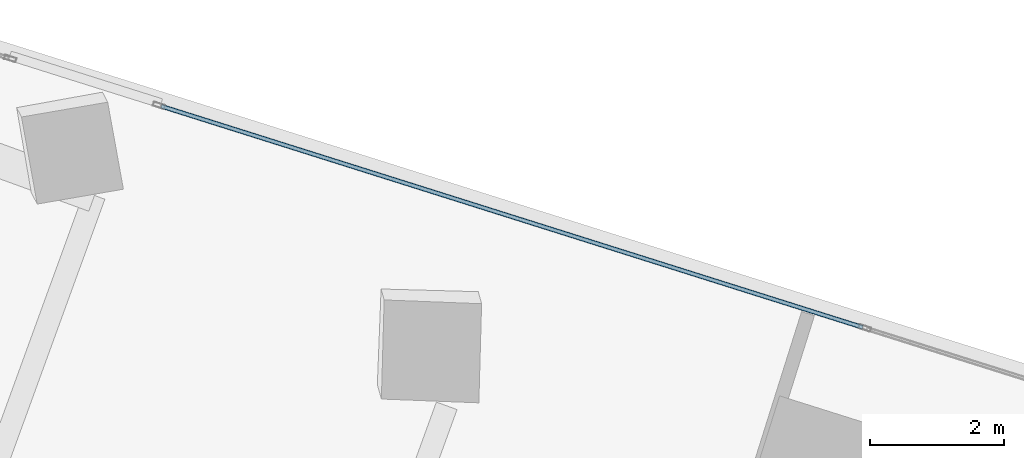
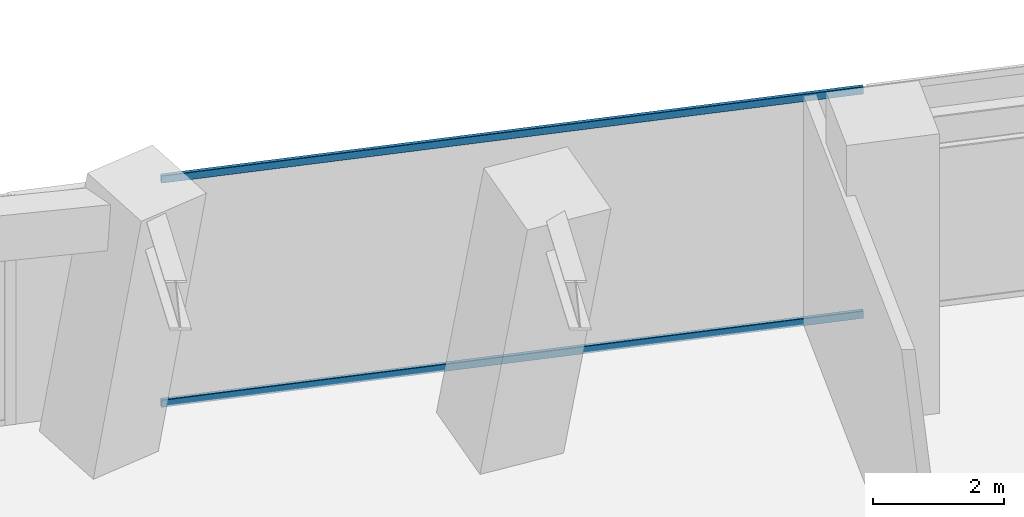
# One storey, part 19 of 29: 2 members, 1 element without a shape of its own.
"""IFC4 building model written with IfcOpenShell, lengths in metres."""

import ifcopenshell
import ifcopenshell.guid

model = None  # the IFC model being written
_history = None  # IfcOwnerHistory: only IFC2X3 demands one
_inside = {}  # id of a spatial element -> (the spatial element, [elements in it])
_under = {}  # id of a project, library or spatial element -> (it, [spatial elements below it])
_declared = {}  # id of a project -> (the project, [libraries it declares])
_typed = {}  # id of a type object -> (the type object, [elements of that type])
_made_of = {}  # id of a material, layer set ... -> (it, [elements and type objects made of it])


def new_model(schema):
    """Start an empty IFC model of exactly this schema.

    Asked for "IFC4X3", IfcOpenShell would pick the latest addendum, in which some entities
    have other attributes; the version numbers below select the first issue.
    IFC2X3 requires an IfcOwnerHistory on every rooted entity: one is made here for all.
    """
    global model, _history
    if schema == "IFC4X3":
        model = ifcopenshell.file(schema_version=(4, 3, 0, 0))
    else:
        model = ifcopenshell.file(schema=schema)
    _inside.clear()
    _under.clear()
    _declared.clear()
    _typed.clear()
    _made_of.clear()
    _history = None
    if model.schema == "IFC2X3":
        org = make("IfcOrganization", Name="unknown")
        user = make(
            "IfcPersonAndOrganization",
            ThePerson=make("IfcPerson", FamilyName="unknown"),
            TheOrganization=org,
        )
        app = make(
            "IfcApplication",
            ApplicationDeveloper=org,
            Version="unknown",
            ApplicationFullName="unknown",
            ApplicationIdentifier="unknown",
        )
        _history = make(
            "IfcOwnerHistory",
            OwningUser=user,
            OwningApplication=app,
            ChangeAction="ADDED",
            CreationDate=0,
        )
    return model


def make(cls, **values):
    """One entity of the class cls with the attributes given. An attribute that is None is left unset."""
    return model.create_entity(
        cls, **{name: value for name, value in values.items() if value is not None}
    )


def rooted(cls, **values):
    """An entity with a GlobalId (a new one), such as an element, a storey or a relation."""
    return make(cls, GlobalId=ifcopenshell.guid.new(), OwnerHistory=_history, **values)


def si_unit(unit_type, name, prefix=None):
    """IfcSIUnit, for example si_unit("LENGTHUNIT", "METRE", prefix="MILLI")."""
    return make("IfcSIUnit", UnitType=unit_type, Prefix=prefix, Name=name)


def assignment(units):
    """IfcUnitAssignment: the units of a project."""
    return None if units is None else make("IfcUnitAssignment", Units=units)


def point(xyz):
    """IfcCartesianPoint."""
    return None if xyz is None else make("IfcCartesianPoint", Coordinates=xyz)


def direction(xyz):
    """IfcDirection."""
    return None if xyz is None else make("IfcDirection", DirectionRatios=xyz)


def frame(location, z_axis=None, x_axis=None):
    """IfcAxis2Placement3D, a coordinate frame: its origin and axes. An axis left out is left unset."""
    return make(
        "IfcAxis2Placement3D",
        Location=point(location),
        Axis=direction(z_axis),
        RefDirection=direction(x_axis),
    )


def frame_2d(location, x_axis=None):
    """IfcAxis2Placement2D, a coordinate frame in the plane: its origin and x axis."""
    return make(
        "IfcAxis2Placement2D", Location=point(location), RefDirection=direction(x_axis)
    )


def origin():
    """The frame at (0, 0, 0) with its axes left unset."""
    return frame((0.0, 0.0, 0.0))


def origin_2d():
    """The frame at (0, 0) in the plane with its x axis left unset."""
    return frame_2d((0.0, 0.0))


def place(relative_to, where):
    """IfcLocalPlacement: puts the frame where relative to a parent placement (None: the world)."""
    return make(
        "IfcLocalPlacement", PlacementRelTo=relative_to, RelativePlacement=where
    )


def context(
    kind, dimensions, precision=None, world=None, true_north=None, identifier=None
):
    """IfcGeometricRepresentationContext, for example the 3D "Model" context."""
    return make(
        "IfcGeometricRepresentationContext",
        ContextIdentifier=identifier,
        ContextType=kind,
        CoordinateSpaceDimension=dimensions,
        Precision=precision,
        WorldCoordinateSystem=world,
        TrueNorth=true_north,
    )


def subcontext(parent, identifier, kind, view, scale=None):
    """IfcGeometricRepresentationSubContext, for example "Body" below "Model"."""
    return make(
        "IfcGeometricRepresentationSubContext",
        ContextIdentifier=identifier,
        ContextType=kind,
        ParentContext=parent,
        TargetScale=scale,
        TargetView=view,
    )


def project(units=None, contexts=None):
    """IfcProject with its units and contexts."""
    return rooted(
        "IfcProject",
        Name="project",
        RepresentationContexts=contexts,
        UnitsInContext=assignment(units),
    )


def spatial(cls, under=None, at=None, **own):
    """A site, building, storey or space (cls), placed at a placement, below another one or the project."""
    s = rooted(cls, ObjectPlacement=at, **own)
    if under is not None:
        _under.setdefault(under.id(), (under, []))[1].append(s)
    return s


def profile(cls, at=None, kind="AREA", **sizes):
    """A parametric profile (cls). Its sizes go by their IFC names, for example OverallWidth=200.0."""
    return make(cls, ProfileType=kind, Position=at, **sizes)


def hollow_rectangle(**sizes):
    """IfcRectangleHollowProfileDef."""
    return profile("IfcRectangleHollowProfileDef", **sizes)


def extrude(swept, where, along, depth):
    """IfcExtrudedAreaSolid: the profile swept, set in the frame where, extruded along a direction by depth."""
    return make(
        "IfcExtrudedAreaSolid",
        SweptArea=swept,
        Position=where,
        ExtrudedDirection=direction(along),
        Depth=depth,
    )


def shape(context_of_items, identifier, shape_type, items):
    """IfcShapeRepresentation: the items that make up one representation, for example the "Body"."""
    return make(
        "IfcShapeRepresentation",
        ContextOfItems=context_of_items,
        RepresentationIdentifier=identifier,
        RepresentationType=shape_type,
        Items=items,
    )


def source(mapping_origin, context_of_items, identifier, shape_type, items):
    """IfcRepresentationMap: a shape defined once, which mapped items show again and again."""
    return make(
        "IfcRepresentationMap",
        MappingOrigin=mapping_origin,
        MappedRepresentation=shape(context_of_items, identifier, shape_type, items),
    )


def transform(
    local_origin,
    x_axis=None,
    y_axis=None,
    z_axis=None,
    scale=None,
    scale2=None,
    scale3=None,
    uniform=True,
):
    """IfcCartesianTransformationOperator3D, or its non-uniform kind. x_axis, y_axis, z_axis: its Axis1, 2, 3."""
    if uniform:
        return make(
            "IfcCartesianTransformationOperator3D",
            Axis1=direction(x_axis),
            Axis2=direction(y_axis),
            LocalOrigin=point(local_origin),
            Scale=scale,
            Axis3=direction(z_axis),
        )
    return make(
        "IfcCartesianTransformationOperator3DnonUniform",
        Axis1=direction(x_axis),
        Axis2=direction(y_axis),
        LocalOrigin=point(local_origin),
        Scale=scale,
        Axis3=direction(z_axis),
        Scale2=scale2,
        Scale3=scale3,
    )


def mapped(mapping_source, mapping_target):
    """IfcMappedItem: shows the shape of a source again, moved by a transform."""
    return make(
        "IfcMappedItem", MappingSource=mapping_source, MappingTarget=mapping_target
    )


def material(Name=None, Category=None):
    """IfcMaterial."""
    return make("IfcMaterial", Name=Name, Category=Category)


def material_profile(
    of_material, cross_section, Name=None, Category=None, Priority=None
):
    """IfcMaterialProfile: a cross section and its material."""
    return make(
        "IfcMaterialProfile",
        Name=Name,
        Material=of_material,
        Profile=cross_section,
        Priority=Priority,
        Category=Category,
    )


def profile_set(profiles, Name=None, composite=None):
    """IfcMaterialProfileSet."""
    return make(
        "IfcMaterialProfileSet",
        Name=Name,
        MaterialProfiles=profiles,
        CompositeProfile=composite,
    )


def made_of(thing, what):
    """Note that an element or type object is made of a material, layer set ...; save() writes the relation."""
    if what is not None:
        _made_of.setdefault(what.id(), (what, []))[1].append(thing)
    return thing


def type_object(cls, material=None, **own):
    """A type object (cls), such as IfcWallType, which elements share."""
    return made_of(rooted(cls, **own), material)


def element(
    cls,
    number,
    at=None,
    inside=None,
    cuts=None,
    type_object=None,
    material=None,
    context=None,
    identifier="Body",
    shape_type=None,
    held_by="IfcProductDefinitionShape",
    body=None,
    shapes=None,
    **own,
):
    """One element of the class cls, such as IfcWall. Its Tag is "e" and its number.

    at: its placement. inside: the storey or other place that contains it. cuts: it is an
    opening in that element (IfcRelVoidsElement). A single representation is given by context,
    identifier, shape_type and body (its items); several are given by shapes. held_by: the class
    of the entity that holds the representations. save() writes the other relations.
    """
    e = rooted(cls, Tag="e%d" % number, ObjectPlacement=at, **own)
    if body is not None:
        shapes = [shape(context, identifier, shape_type, body)]
    if shapes is not None:
        e.Representation = make(held_by, Representations=shapes)
    if inside is not None:
        _inside.setdefault(inside.id(), (inside, []))[1].append(e)
    if cuts is not None:
        rooted(
            "IfcRelVoidsElement", RelatingBuildingElement=cuts, RelatedOpeningElement=e
        )
    if type_object is not None:
        _typed.setdefault(type_object.id(), (type_object, []))[1].append(e)
    return made_of(e, material)


def aggregate(whole, parts):
    """IfcRelAggregates: a whole, such as a stair, and the parts it consists of."""
    return rooted("IfcRelAggregates", RelatingObject=whole, RelatedObjects=parts)


def save(model, path):
    """Write the relations noted so far, then the file.

    IfcRelAggregates (storeys below a building ...), IfcRelContainedInSpatialStructure (elements
    in a storey), IfcRelDefinesByType, IfcRelAssociatesMaterial and IfcRelDeclares: one each for
    every whole, place, type object, material and project.
    """
    for whole, parts in _under.values():
        aggregate(whole, parts)
    for where, things in _inside.values():
        rooted(
            "IfcRelContainedInSpatialStructure",
            RelatedElements=things,
            RelatingStructure=where,
        )
    for kind, things in _typed.values():
        rooted("IfcRelDefinesByType", RelatedObjects=things, RelatingType=kind)
    for what, things in _made_of.values():
        rooted("IfcRelAssociatesMaterial", RelatedObjects=things, RelatingMaterial=what)
    for by, libraries in _declared.values():
        rooted("IfcRelDeclares", RelatingContext=by, RelatedDefinitions=libraries)
    model.write(path)


model = new_model("IFC4")

# Units and contexts
model_context = context("Model", 3, precision=1e-05, world=origin(), true_north=direction((0.0, 1.0)))
body_context = subcontext(model_context, "Body", "Model", "MODEL_VIEW")
ifc_project = project(units=[si_unit("LENGTHUNIT", "METRE"), si_unit("AREAUNIT", "SQUARE_METRE"), si_unit("VOLUMEUNIT", "CUBIC_METRE"), si_unit("PLANEANGLEUNIT", "RADIAN"), si_unit("MASSUNIT", "GRAM", prefix="KILO")], contexts=[model_context])

# Site, building, storey
site_placement = place(None, origin())
site = spatial("IfcSite", under=ifc_project, at=site_placement, CompositionType="ELEMENT")
building_placement = place(site_placement, origin())
building = spatial("IfcBuilding", under=site, at=building_placement, Name="Torre Montelarca", CompositionType="ELEMENT")
storey_placement = place(building_placement, frame((0.0, 0.0, 122.199951171875)))
storey = spatial("IfcBuildingStorey", under=building, at=storey_placement, Name="L27", CompositionType="ELEMENT", Elevation=122.199951171875)

# Curtain wall, members
ifc_material_1 = material(Name="Insulated low-E laminated glass", Category="glass")
curtain_wall_type = type_object("IfcCurtainWallType", Name="CW-SYS-Z1", PredefinedType="USERDEFINED", material=ifc_material_1)
curtain_wall_placement = place(storey_placement, origin())
curtain_wall = element("IfcCurtainWall", 1, at=curtain_wall_placement, inside=storey, type_object=curtain_wall_type, Name="L27 Curtain Wall Run CW-T3-L27-E08-B1", ObjectType="UNITISED GLAZING", PredefinedType="USERDEFINED")
ifc_material_2 = material(Name="Anodised aluminium AA 6063-T6", Category="aluminium")
ifc_material_profile = material_profile(ifc_material_2, hollow_rectangle(XDim=0.06494140625, YDim=0.139892578125, WallThickness=0.00390625, InnerFilletRadius=0.00390625, OuterFilletRadius=0.008056640625, at=origin_2d()), Name="ALU65X140X4", Category="aluminium")
ifc_profile_set = profile_set([ifc_material_profile], Name="Anodised aluminium AA 6063-T6")
member_type = type_object("IfcMemberType", Name="CWT-ALU140", PredefinedType="USERDEFINED", material=ifc_profile_set)
shared_shape = source(origin(), body_context, "Body", "SweptSolid", [
    extrude(hollow_rectangle(XDim=0.06494140625, YDim=0.139892578125, WallThickness=0.00390625, InnerFilletRadius=0.00390625, OuterFilletRadius=0.008056640625, at=origin_2d()), origin(), (0.0, 0.0, 1.0), 10.954833984375),
])
member_1_placement = place(storey_placement, frame((51.74853515625, 39.3125, 0.032470703125), z_axis=(-0.953716288411, 0.300707900162, 0.0), x_axis=(-0.300707900162, -0.953716288411, 0.0)))
member_1 = element("IfcMember", 2, at=member_1_placement, type_object=member_type, Name="CW transom 2.1", ObjectType="TRANSOM", PredefinedType="USERDEFINED", context=body_context, shape_type="MappedRepresentation", body=[
    mapped(shared_shape, transform((0.0, 0.0, 0.0), scale=1.0)),
])
member_2_placement = place(storey_placement, frame((51.74853515625, 39.3125, 4.20263671875), z_axis=(-0.953716288411, 0.300707900162, 0.0), x_axis=(-0.300707900162, -0.953716288411, 0.0)))
member_2 = element("IfcMember", 3, at=member_2_placement, type_object=member_type, Name="CW transom 2.2", ObjectType="TRANSOM", PredefinedType="USERDEFINED", context=body_context, shape_type="MappedRepresentation", body=[
    mapped(shared_shape, transform((0.0, 0.0, 0.0), scale=1.0)),
])
aggregate(curtain_wall, [member_1, member_2])

save(model, "model.ifc")
